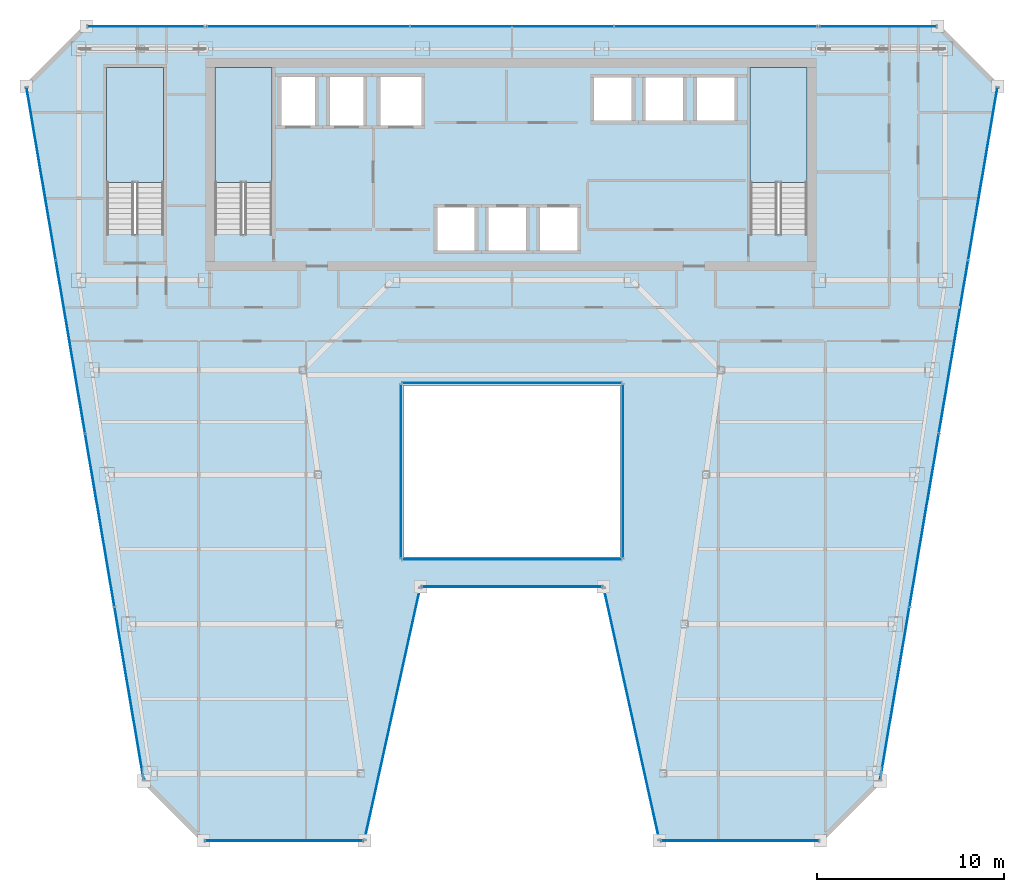
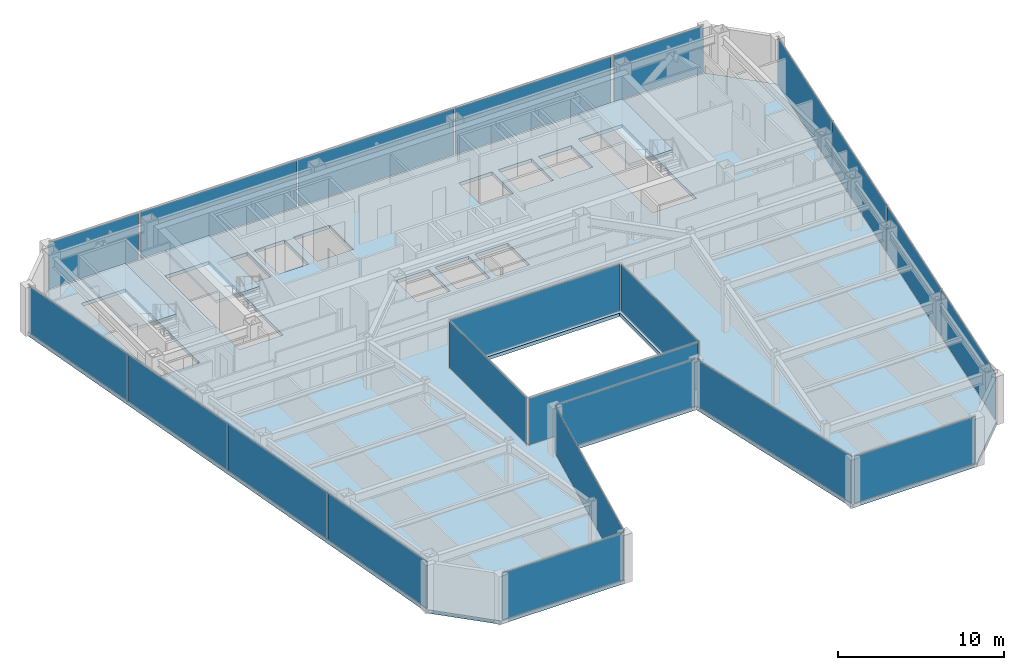
# One storey, part 28 of 36: 22 plates, 4 slabs, 17 elements without a shape of their own.
"""IFC4 building model written with IfcOpenShell, lengths in metres."""

from ifc_helpers import new_model, si_unit, direction, frame, origin, origin_2d, place, context, subcontext, project, spatial, polyline, rectangle, outline, extrude, material, layer, layer_set, type_object, element, aggregate, save


model = new_model("IFC4")

# Units and contexts
model_context = context("Model", 3, precision=1e-05, world=origin(), true_north=direction((0.0, 1.0)))
body_context = subcontext(model_context, "Body", "Model", "MODEL_VIEW")
ifc_project = project(units=[si_unit("LENGTHUNIT", "METRE"), si_unit("AREAUNIT", "SQUARE_METRE"), si_unit("VOLUMEUNIT", "CUBIC_METRE"), si_unit("PLANEANGLEUNIT", "RADIAN"), si_unit("MASSUNIT", "GRAM", prefix="KILO")], contexts=[model_context])

# Site, building, storey
site_placement = place(None, origin())
site = spatial("IfcSite", under=ifc_project, at=site_placement, CompositionType="ELEMENT")
building_placement = place(site_placement, origin())
building = spatial("IfcBuilding", under=site, at=building_placement, Name="Saevonmaru Cultural Tower", CompositionType="ELEMENT")
storey_placement = place(building_placement, frame((0.0, 0.0, 182.800048828125)))
storey = spatial("IfcBuildingStorey", under=building, at=storey_placement, Name="L41", CompositionType="ELEMENT", Elevation=182.800048828125)

# Curtain wall, plate
ifc_material_1 = material(Name="Satin Bronze Anodised Aluminium", Category="aluminium")
curtain_wall_type_1 = type_object("IfcCurtainWallType", Name="CW-ATR-GLZ", PredefinedType="NOTDEFINED", material=ifc_material_1)
curtain_wall_1_placement = place(storey_placement, origin())
curtain_wall_1 = element("IfcCurtainWall", 1, at=curtain_wall_1_placement, inside=storey, type_object=curtain_wall_type_1, Name="L41 Vertical Atrium Glazed Smoke Screen 1", PredefinedType="NOTDEFINED")
ifc_material_2 = material(Name="Fire-Rated Laminated Atrium Glass", Category="glass")
ifc_layer_1 = layer(ifc_material_2, 0.031982421875, Name="Fire-Rated Laminated Atrium Glass")
ifc_layer_set_1 = layer_set([ifc_layer_1], Name="Fire-Rated Laminated Atrium Glass")
plate_type_1 = type_object("IfcPlateType", Name="PN-GLZ-ATR-INT", PredefinedType="CURTAIN_PANEL", material=ifc_layer_set_1)
plate_1_placement = place(storey_placement, frame((30.0, 27.449951171875, 0.06689453125), z_axis=(0.0, 0.0, 1.0), x_axis=(1.0, 0.0, 0.0)))
plate_1 = element("IfcPlate", 2, at=plate_1_placement, type_object=plate_type_1, Name="CW-ATR-L41-1 panel 1.1", PredefinedType="CURTAIN_PANEL", context=body_context, shape_type="SweptSolid", body=[
    extrude(rectangle(XDim=11.7109375, YDim=0.031982421875, at=origin_2d()), origin(), (0.0, 0.0, 1.0), 3.416015625),
])
aggregate(curtain_wall_1, [plate_1])

curtain_wall_2_placement = place(storey_placement, origin())
curtain_wall_2 = element("IfcCurtainWall", 3, at=curtain_wall_2_placement, inside=storey, type_object=curtain_wall_type_1, Name="L41 Vertical Atrium Glazed Smoke Screen 2", PredefinedType="NOTDEFINED")
plate_2_placement = place(storey_placement, frame((35.949951171875, 32.179931640625, 0.06689453125), z_axis=(0.0, 0.0, 1.0), x_axis=(0.0, 1.0, 0.0)))
plate_2 = element("IfcPlate", 4, at=plate_2_placement, type_object=plate_type_1, Name="CW-ATR-L41-2 panel 1.1", PredefinedType="CURTAIN_PANEL", context=body_context, shape_type="SweptSolid", body=[
    extrude(rectangle(XDim=9.27099609375, YDim=0.031982421875, at=origin_2d()), origin(), (0.0, 0.0, 1.0), 3.416015625),
])
aggregate(curtain_wall_2, [plate_2])

curtain_wall_3_placement = place(storey_placement, origin())
curtain_wall_3 = element("IfcCurtainWall", 5, at=curtain_wall_3_placement, inside=storey, type_object=curtain_wall_type_1, Name="L41 Vertical Atrium Glazed Smoke Screen 3", PredefinedType="NOTDEFINED")
plate_3_placement = place(storey_placement, frame((30.0, 36.909912109375, 0.06689453125), z_axis=(0.0, 0.0, 1.0), x_axis=(-1.0, 0.0, 0.0)))
plate_3 = element("IfcPlate", 6, at=plate_3_placement, type_object=plate_type_1, Name="CW-ATR-L41-3 panel 1.1", PredefinedType="CURTAIN_PANEL", context=body_context, shape_type="SweptSolid", body=[
    extrude(rectangle(XDim=11.7109375, YDim=0.031982421875, at=origin_2d()), origin(), (0.0, 0.0, 1.0), 3.416015625),
])
aggregate(curtain_wall_3, [plate_3])

curtain_wall_4_placement = place(storey_placement, origin())
curtain_wall_4 = element("IfcCurtainWall", 7, at=curtain_wall_4_placement, inside=storey, type_object=curtain_wall_type_1, Name="L41 Vertical Atrium Glazed Smoke Screen 4", PredefinedType="NOTDEFINED")
plate_4_placement = place(storey_placement, frame((24.050048828125, 32.179931640625, 0.06689453125), z_axis=(0.0, 0.0, 1.0), x_axis=(0.0, -1.0, 0.0)))
plate_4 = element("IfcPlate", 8, at=plate_4_placement, type_object=plate_type_1, Name="CW-ATR-L41-4 panel 1.1", PredefinedType="CURTAIN_PANEL", context=body_context, shape_type="SweptSolid", body=[
    extrude(rectangle(XDim=9.27099609375, YDim=0.031982421875, at=origin_2d()), origin(), (0.0, 0.0, 1.0), 3.416015625),
])
aggregate(curtain_wall_4, [plate_4])

curtain_wall_type_2 = type_object("IfcCurtainWallType", Name="CW-TYP-B", PredefinedType="NOTDEFINED", material=ifc_material_1)
curtain_wall_5_placement = place(storey_placement, origin())
curtain_wall_5 = element("IfcCurtainWall", 9, at=curtain_wall_5_placement, inside=storey, type_object=curtain_wall_type_2, Name="L41 Unitised Curtain Wall E2", PredefinedType="NOTDEFINED")
ifc_material_3 = material(Name="Triple Silver Low-E Insulating Glass", Category="glass")
ifc_layer_2 = layer(ifc_material_3, 0.035888671875, Name="Triple Silver Low-E Insulating Glass")
ifc_layer_set_2 = layer_set([ifc_layer_2], Name="Triple Silver Low-E Insulating Glass")
plate_type_2 = type_object("IfcPlateType", Name="PN-GLZ-IGU", PredefinedType="CURTAIN_PANEL", material=ifc_layer_set_2)
plate_5_placement = place(storey_placement, frame((17.7978515625, 12.39990234375, 0.06689453125), z_axis=(0.0, 0.0, 1.0), x_axis=(1.0, 0.0, 0.0)))
plate_5 = element("IfcPlate", 10, at=plate_5_placement, type_object=plate_type_2, Name="CW-TW-L41-E2 panel 1.1", PredefinedType="CURTAIN_PANEL", context=body_context, shape_type="SweptSolid", body=[
    extrude(rectangle(XDim=8.410888671875, YDim=0.035888671875, at=origin_2d()), origin(), (0.0, 0.0, 1.0), 3.416015625),
])
aggregate(curtain_wall_5, [plate_5])

curtain_wall_6_placement = place(storey_placement, origin())
curtain_wall_6 = element("IfcCurtainWall", 11, at=curtain_wall_6_placement, inside=storey, type_object=curtain_wall_type_2, Name="L41 Unitised Curtain Wall E3", PredefinedType="NOTDEFINED")
plate_6_placement = place(storey_placement, frame((23.597900390625, 19.199951171875, 0.06689453125), z_axis=(0.0, 0.0, 1.0), x_axis=(0.215413319953, 0.976522965212, 0.0)))
plate_6 = element("IfcPlate", 12, at=plate_6_placement, type_object=plate_type_2, Name="CW-TW-L41-E3 panel 1.1", PredefinedType="CURTAIN_PANEL", context=body_context, shape_type="SweptSolid", body=[
    extrude(rectangle(XDim=13.738037109375, YDim=0.035888671875, at=origin_2d()), origin(), (0.0, 0.0, 1.0), 3.416015625),
])
aggregate(curtain_wall_6, [plate_6])

curtain_wall_7_placement = place(storey_placement, origin())
curtain_wall_7 = element("IfcCurtainWall", 13, at=curtain_wall_7_placement, inside=storey, type_object=curtain_wall_type_2, Name="L41 Unitised Curtain Wall E4", PredefinedType="NOTDEFINED")
plate_7_placement = place(storey_placement, frame((30.0, 26.0, 0.06689453125), z_axis=(0.0, 0.0, 1.0), x_axis=(1.0, 0.0, 0.0)))
plate_7 = element("IfcPlate", 14, at=plate_7_placement, type_object=plate_type_2, Name="CW-TW-L41-E4 panel 1.1", PredefinedType="CURTAIN_PANEL", context=body_context, shape_type="SweptSolid", body=[
    extrude(rectangle(XDim=9.615478515625, YDim=0.035888671875, at=origin_2d()), origin(), (0.0, 0.0, 1.0), 3.416015625),
])
aggregate(curtain_wall_7, [plate_7])

curtain_wall_8_placement = place(storey_placement, origin())
curtain_wall_8 = element("IfcCurtainWall", 15, at=curtain_wall_8_placement, inside=storey, type_object=curtain_wall_type_2, Name="L41 Unitised Curtain Wall E5", PredefinedType="NOTDEFINED")
plate_8_placement = place(storey_placement, frame((36.402099609375, 19.199951171875, 0.06689453125), z_axis=(0.0, 0.0, 1.0), x_axis=(0.215413319953, -0.976522965212, 0.0)))
plate_8 = element("IfcPlate", 16, at=plate_8_placement, type_object=plate_type_2, Name="CW-TW-L41-E5 panel 1.1", PredefinedType="CURTAIN_PANEL", context=body_context, shape_type="SweptSolid", body=[
    extrude(rectangle(XDim=13.738037109375, YDim=0.035888671875, at=origin_2d()), origin(), (0.0, 0.0, 1.0), 3.416015625),
])
aggregate(curtain_wall_8, [plate_8])

curtain_wall_9_placement = place(storey_placement, origin())
curtain_wall_9 = element("IfcCurtainWall", 17, at=curtain_wall_9_placement, inside=storey, type_object=curtain_wall_type_2, Name="L41 Unitised Curtain Wall E6", PredefinedType="NOTDEFINED")
plate_9_placement = place(storey_placement, frame((42.2021484375, 12.39990234375, 0.06689453125), z_axis=(0.0, 0.0, 1.0), x_axis=(1.0, 0.0, 0.0)))
plate_9 = element("IfcPlate", 18, at=plate_9_placement, type_object=plate_type_2, Name="CW-TW-L41-E6 panel 1.1", PredefinedType="CURTAIN_PANEL", context=body_context, shape_type="SweptSolid", body=[
    extrude(rectangle(XDim=8.410888671875, YDim=0.035888671875, at=origin_2d()), origin(), (0.0, 0.0, 1.0), 3.416015625),
])
aggregate(curtain_wall_9, [plate_9])

# Curtain wall, plates
curtain_wall_10_placement = place(storey_placement, origin())
curtain_wall_10 = element("IfcCurtainWall", 19, at=curtain_wall_10_placement, inside=storey, type_object=curtain_wall_type_2, Name="L41 Unitised Curtain Wall E8", PredefinedType="NOTDEFINED")
plate_10_placement = place(storey_placement, frame((50.496826171875, 20.29443359375, 0.06689453125), z_axis=(0.0, 0.0, 1.0), x_axis=(0.16692169721, 0.985970155228, 0.0)))
plate_10 = element("IfcPlate", 20, at=plate_10_placement, type_object=plate_type_2, Name="CW-TW-L41-E8 panel 1.1", PredefinedType="CURTAIN_PANEL", context=body_context, shape_type="SweptSolid", body=[
    extrude(rectangle(XDim=9.333251953125, YDim=0.035888671875, at=origin_2d()), origin(), (0.0, 0.0, 1.0), 3.416015625),
])
plate_11_placement = place(storey_placement, frame((52.06640625, 29.564697265625, 0.06689453125), z_axis=(0.0, 0.0, 1.0), x_axis=(0.16692169721, 0.985970155228, 0.0)))
plate_11 = element("IfcPlate", 21, at=plate_11_placement, type_object=plate_type_2, Name="CW-TW-L41-E8 panel 2.1", PredefinedType="CURTAIN_PANEL", context=body_context, shape_type="SweptSolid", body=[
    extrude(rectangle(XDim=9.333251953125, YDim=0.035888671875, at=origin_2d()), origin(), (0.0, 0.0, 1.0), 3.416015625),
])
plate_12_placement = place(storey_placement, frame((53.6357421875, 38.835205078125, 0.06689453125), z_axis=(0.0, 0.0, 1.0), x_axis=(0.16692169721, 0.985970155228, 0.0)))
plate_12 = element("IfcPlate", 22, at=plate_12_placement, type_object=plate_type_2, Name="CW-TW-L41-E8 panel 3.1", PredefinedType="CURTAIN_PANEL", context=body_context, shape_type="SweptSolid", body=[
    extrude(rectangle(XDim=9.333251953125, YDim=0.035888671875, at=origin_2d()), origin(), (0.0, 0.0, 1.0), 3.416015625),
])
plate_13_placement = place(storey_placement, frame((55.205322265625, 48.105712890625, 0.06689453125), z_axis=(0.0, 0.0, 1.0), x_axis=(0.16692169721, 0.985970155228, 0.0)))
plate_13 = element("IfcPlate", 23, at=plate_13_placement, type_object=plate_type_2, Name="CW-TW-L41-E8 panel 4.1", PredefinedType="CURTAIN_PANEL", context=body_context, shape_type="SweptSolid", body=[
    extrude(rectangle(XDim=9.333251953125, YDim=0.035888671875, at=origin_2d()), origin(), (0.0, 0.0, 1.0), 3.416015625),
])
aggregate(curtain_wall_10, [plate_10, plate_11, plate_12, plate_13])

curtain_wall_11_placement = place(storey_placement, origin())
curtain_wall_11 = element("IfcCurtainWall", 24, at=curtain_wall_11_placement, inside=storey, type_object=curtain_wall_type_2, Name="L41 North Spine Unitised Curtain Wall E10B", PredefinedType="NOTDEFINED")
plate_14_placement = place(storey_placement, frame((40.893310546875, 56.0, 0.06689453125), z_axis=(0.0, 0.0, 1.0), x_axis=(-1.0, 0.0, 0.0)))
plate_14 = element("IfcPlate", 25, at=plate_14_placement, type_object=plate_type_2, Name="CW-TW-L41-E10B panel 1.1", PredefinedType="CURTAIN_PANEL", context=body_context, shape_type="SweptSolid", body=[
    extrude(rectangle(XDim=10.82421875, YDim=0.035888671875, at=origin_2d()), origin(), (0.0, 0.0, 1.0), 3.416015625),
])
plate_15_placement = place(storey_placement, frame((30.0, 56.0, 0.06689453125), z_axis=(0.0, 0.0, 1.0), x_axis=(-1.0, 0.0, 0.0)))
plate_15 = element("IfcPlate", 26, at=plate_15_placement, type_object=plate_type_2, Name="CW-TW-L41-E10B panel 2.1", PredefinedType="CURTAIN_PANEL", context=body_context, shape_type="SweptSolid", body=[
    extrude(rectangle(XDim=10.82421875, YDim=0.035888671875, at=origin_2d()), origin(), (0.0, 0.0, 1.0), 3.416015625),
])
plate_16_placement = place(storey_placement, frame((19.106689453125, 56.0, 0.06689453125), z_axis=(0.0, 0.0, 1.0), x_axis=(-1.0, 0.0, 0.0)))
plate_16 = element("IfcPlate", 27, at=plate_16_placement, type_object=plate_type_2, Name="CW-TW-L41-E10B panel 3.1", PredefinedType="CURTAIN_PANEL", context=body_context, shape_type="SweptSolid", body=[
    extrude(rectangle(XDim=10.82421875, YDim=0.035888671875, at=origin_2d()), origin(), (0.0, 0.0, 1.0), 3.416015625),
])
aggregate(curtain_wall_11, [plate_14, plate_15, plate_16])

curtain_wall_12_placement = place(storey_placement, origin())
curtain_wall_12 = element("IfcCurtainWall", 28, at=curtain_wall_12_placement, inside=storey, type_object=curtain_wall_type_2, Name="L41 Unitised Curtain Wall E12", PredefinedType="NOTDEFINED")
plate_17_placement = place(storey_placement, frame((4.794677734375, 48.105712890625, 0.06689453125), z_axis=(0.0, 0.0, 1.0), x_axis=(0.16692169721, -0.985970155228, 0.0)))
plate_17 = element("IfcPlate", 29, at=plate_17_placement, type_object=plate_type_2, Name="CW-TW-L41-E12 panel 1.1", PredefinedType="CURTAIN_PANEL", context=body_context, shape_type="SweptSolid", body=[
    extrude(rectangle(XDim=9.333251953125, YDim=0.035888671875, at=origin_2d()), origin(), (0.0, 0.0, 1.0), 3.416015625),
])
plate_18_placement = place(storey_placement, frame((6.3642578125, 38.835205078125, 0.06689453125), z_axis=(0.0, 0.0, 1.0), x_axis=(0.16692169721, -0.985970155228, 0.0)))
plate_18 = element("IfcPlate", 30, at=plate_18_placement, type_object=plate_type_2, Name="CW-TW-L41-E12 panel 2.1", PredefinedType="CURTAIN_PANEL", context=body_context, shape_type="SweptSolid", body=[
    extrude(rectangle(XDim=9.333251953125, YDim=0.035888671875, at=origin_2d()), origin(), (0.0, 0.0, 1.0), 3.416015625),
])
plate_19_placement = place(storey_placement, frame((7.93359375, 29.564697265625, 0.06689453125), z_axis=(0.0, 0.0, 1.0), x_axis=(0.16692169721, -0.985970155228, 0.0)))
plate_19 = element("IfcPlate", 31, at=plate_19_placement, type_object=plate_type_2, Name="CW-TW-L41-E12 panel 3.1", PredefinedType="CURTAIN_PANEL", context=body_context, shape_type="SweptSolid", body=[
    extrude(rectangle(XDim=9.333251953125, YDim=0.035888671875, at=origin_2d()), origin(), (0.0, 0.0, 1.0), 3.416015625),
])
plate_20_placement = place(storey_placement, frame((9.503173828125, 20.29443359375, 0.06689453125), z_axis=(0.0, 0.0, 1.0), x_axis=(0.16692169721, -0.985970155228, 0.0)))
plate_20 = element("IfcPlate", 32, at=plate_20_placement, type_object=plate_type_2, Name="CW-TW-L41-E12 panel 4.1", PredefinedType="CURTAIN_PANEL", context=body_context, shape_type="SweptSolid", body=[
    extrude(rectangle(XDim=9.333251953125, YDim=0.035888671875, at=origin_2d()), origin(), (0.0, 0.0, 1.0), 3.416015625),
])
aggregate(curtain_wall_12, [plate_17, plate_18, plate_19, plate_20])

# Curtain wall, plate
curtain_wall_13_placement = place(storey_placement, origin())
curtain_wall_13 = element("IfcCurtainWall", 33, at=curtain_wall_13_placement, inside=storey, type_object=curtain_wall_type_2, Name="L41 East Braced Bay Spandrel Curtain Wall E10A", PredefinedType="NOTDEFINED")
ifc_material_4 = material(Name="Insulated Satin Bronze Aluminium Spandrel Panel", Category="aluminium")
ifc_layer_3 = layer(ifc_material_4, 0.0400390625, Name="Insulated Satin Bronze Aluminium Spandrel Panel")
ifc_layer_set_3 = layer_set([ifc_layer_3], Name="Insulated Satin Bronze Aluminium Spandrel Panel")
plate_type_3 = type_object("IfcPlateType", Name="PN-SPANDREL-BRONZE", PredefinedType="CURTAIN_PANEL", material=ifc_layer_set_3)
plate_21_placement = place(storey_placement, frame((49.60009765625, 56.0, 0.06689453125), z_axis=(0.0, 0.0, 1.0), x_axis=(-1.0, 0.0, 0.0)))
plate_21 = element("IfcPlate", 34, at=plate_21_placement, type_object=plate_type_3, Name="CW-TW-L41-E10A panel 1.1", PredefinedType="CURTAIN_PANEL", context=body_context, shape_type="SweptSolid", body=[
    extrude(rectangle(XDim=6.2109375, YDim=0.035888671875, at=origin_2d()), origin(), (0.0, 0.0, 1.0), 3.416015625),
])
aggregate(curtain_wall_13, [plate_21])

curtain_wall_14_placement = place(storey_placement, origin())
curtain_wall_14 = element("IfcCurtainWall", 35, at=curtain_wall_14_placement, inside=storey, type_object=curtain_wall_type_2, Name="L41 West Braced Bay Spandrel Curtain Wall E10C", PredefinedType="NOTDEFINED")
plate_22_placement = place(storey_placement, frame((10.39990234375, 56.0, 0.06689453125), z_axis=(0.0, 0.0, 1.0), x_axis=(-1.0, 0.0, 0.0)))
plate_22 = element("IfcPlate", 36, at=plate_22_placement, type_object=plate_type_3, Name="CW-TW-L41-E10C panel 1.1", PredefinedType="CURTAIN_PANEL", context=body_context, shape_type="SweptSolid", body=[
    extrude(rectangle(XDim=6.2109375, YDim=0.035888671875, at=origin_2d()), origin(), (0.0, 0.0, 1.0), 3.416015625),
])
aggregate(curtain_wall_14, [plate_22])

# Slab
ifc_material_5 = material(Name="Concrete C40/50", Category="concrete")
ifc_layer_4 = layer(ifc_material_5, 0.25, Name="Concrete C40/50")
ifc_layer_set_4 = layer_set([ifc_layer_4], Name="Concrete C40/50")
slab_type_1 = type_object("IfcSlabType", Name="SL-FLR-250", PredefinedType="FLOOR", material=ifc_layer_set_4)
slab_1_placement = place(storey_placement, frame((0.0, 0.0, -0.25)))
element("IfcSlab", 37, at=slab_1_placement, inside=storey, type_object=slab_type_1, Name="L41 Tower Structural Floor Slab", PredefinedType="FLOOR", context=body_context, shape_type="SweptSolid", body=[
    extrude(outline(polyline([(10.2978515625, 15.60009765625), (13.497802734375, 12.39990234375), (22.097900390625, 12.39990234375), (25.097900390625, 26.0), (34.902099609375, 26.0), (37.902099609375, 12.39990234375), (46.502197265625, 12.39990234375), (49.7021484375, 15.60009765625), (56.0, 52.800048828125), (52.800048828125, 56.0), (7.199951171875, 56.0), (4.0, 52.800048828125), (10.2978515625, 15.60009765625)]), holes=[polyline([(45.800048828125, 44.875), (42.75, 44.875), (42.75, 53.800048828125), (45.800048828125, 53.800048828125), (45.800048828125, 44.875)]), polyline([(39.75, 50.800048828125), (39.75, 53.39990234375), (42.050048828125, 53.39990234375), (42.050048828125, 50.800048828125), (39.75, 50.800048828125)]), polyline([(37.0, 50.800048828125), (37.0, 53.39990234375), (39.300048828125, 53.39990234375), (39.300048828125, 50.800048828125), (37.0, 50.800048828125)]), polyline([(34.25, 50.800048828125), (34.25, 53.39990234375), (36.550048828125, 53.39990234375), (36.550048828125, 50.800048828125), (34.25, 50.800048828125)]), polyline([(24.199951171875, 27.60009765625), (24.199951171875, 36.760009765625), (35.800048828125, 36.760009765625), (35.800048828125, 27.60009765625), (24.199951171875, 27.60009765625)]), polyline([(31.35009765625, 43.85009765625), (31.35009765625, 46.449951171875), (33.64990234375, 46.449951171875), (33.64990234375, 43.85009765625), (31.35009765625, 43.85009765625)]), polyline([(28.60009765625, 43.85009765625), (28.60009765625, 46.449951171875), (30.89990234375, 46.449951171875), (30.89990234375, 43.85009765625), (28.60009765625, 43.85009765625)]), polyline([(28.14990234375, 43.85009765625), (25.85009765625, 43.85009765625), (25.85009765625, 46.449951171875), (28.14990234375, 46.449951171875), (28.14990234375, 43.85009765625)]), polyline([(25.300048828125, 50.550048828125), (22.800048828125, 50.550048828125), (22.800048828125, 53.449951171875), (25.300048828125, 53.449951171875), (25.300048828125, 50.550048828125)]), polyline([(20.10009765625, 50.550048828125), (20.10009765625, 53.449951171875), (22.199951171875, 53.449951171875), (22.199951171875, 50.550048828125), (20.10009765625, 50.550048828125)]), polyline([(17.5, 50.550048828125), (17.5, 53.449951171875), (19.60009765625, 53.449951171875), (19.60009765625, 50.550048828125), (17.5, 50.550048828125)]), polyline([(17.14990234375, 53.800048828125), (17.14990234375, 44.875), (14.10009765625, 44.875), (14.10009765625, 53.800048828125), (17.14990234375, 53.800048828125)]), polyline([(11.35009765625, 44.875), (8.300048828125, 44.875), (8.300048828125, 53.800048828125), (11.35009765625, 53.800048828125), (11.35009765625, 44.875)])]), origin(), (0.0, 0.0, 1.0), 0.25),
])

# Stair, slab
stair_type = type_object("IfcStairType", Name="STR-DOGLEG-RC", PredefinedType="HALF_TURN_STAIR", material=ifc_material_5)
stair_1_placement = place(storey_placement, origin())
stair_1 = element("IfcStair", 38, at=stair_1_placement, inside=storey, type_object=stair_type, Name="L41 Protected exit stair ST-1", PredefinedType="HALF_TURN_STAIR")
ifc_layer_5 = layer(ifc_material_5, 0.199951171875, Name="Concrete C40/50")
ifc_layer_set_5 = layer_set([ifc_layer_5], Name="Concrete C40/50")
slab_type_2 = type_object("IfcSlabType", Name="SL-STAIR-LANDING", PredefinedType="LANDING", material=ifc_layer_set_5)
slab_2_placement = place(storey_placement, frame((0.0, 0.0, 1.699951171875)))
slab_2 = element("IfcSlab", 39, at=slab_2_placement, type_object=slab_type_2, Name="ST-1-L41 landing 1", PredefinedType="LANDING", context=body_context, shape_type="SweptSolid", body=[
    extrude(outline(polyline([(17.14990234375, 47.64990234375), (17.14990234375, 53.800048828125), (14.10009765625, 53.800048828125), (14.10009765625, 47.64990234375), (17.14990234375, 47.64990234375)])), origin(), (0.0, 0.0, 1.0), 0.199951171875),
])
aggregate(stair_1, [slab_2])

stair_2_placement = place(storey_placement, origin())
stair_2 = element("IfcStair", 40, at=stair_2_placement, inside=storey, type_object=stair_type, Name="L41 Protected exit stair ST-2", PredefinedType="HALF_TURN_STAIR")
slab_3_placement = place(storey_placement, frame((0.0, 0.0, 1.699951171875)))
slab_3 = element("IfcSlab", 41, at=slab_3_placement, type_object=slab_type_2, Name="ST-2-L41 landing 1", PredefinedType="LANDING", context=body_context, shape_type="SweptSolid", body=[
    extrude(outline(polyline([(45.800048828125, 47.64990234375), (45.800048828125, 53.800048828125), (42.75, 53.800048828125), (42.75, 47.64990234375), (45.800048828125, 47.64990234375)])), origin(), (0.0, 0.0, 1.0), 0.199951171875),
])
aggregate(stair_2, [slab_3])

stair_3_placement = place(storey_placement, origin())
stair_3 = element("IfcStair", 42, at=stair_3_placement, inside=storey, type_object=stair_type, Name="L41 Protected exit stair ST-3", PredefinedType="HALF_TURN_STAIR")
slab_4_placement = place(storey_placement, frame((0.0, 0.0, 1.699951171875)))
slab_4 = element("IfcSlab", 43, at=slab_4_placement, type_object=slab_type_2, Name="ST-3-L41 landing 1", PredefinedType="LANDING", context=body_context, shape_type="SweptSolid", body=[
    extrude(outline(polyline([(11.35009765625, 47.64990234375), (11.35009765625, 53.800048828125), (8.300048828125, 53.800048828125), (8.300048828125, 47.64990234375), (11.35009765625, 47.64990234375)])), origin(), (0.0, 0.0, 1.0), 0.199951171875),
])
aggregate(stair_3, [slab_4])

save(model, "model.ifc")
